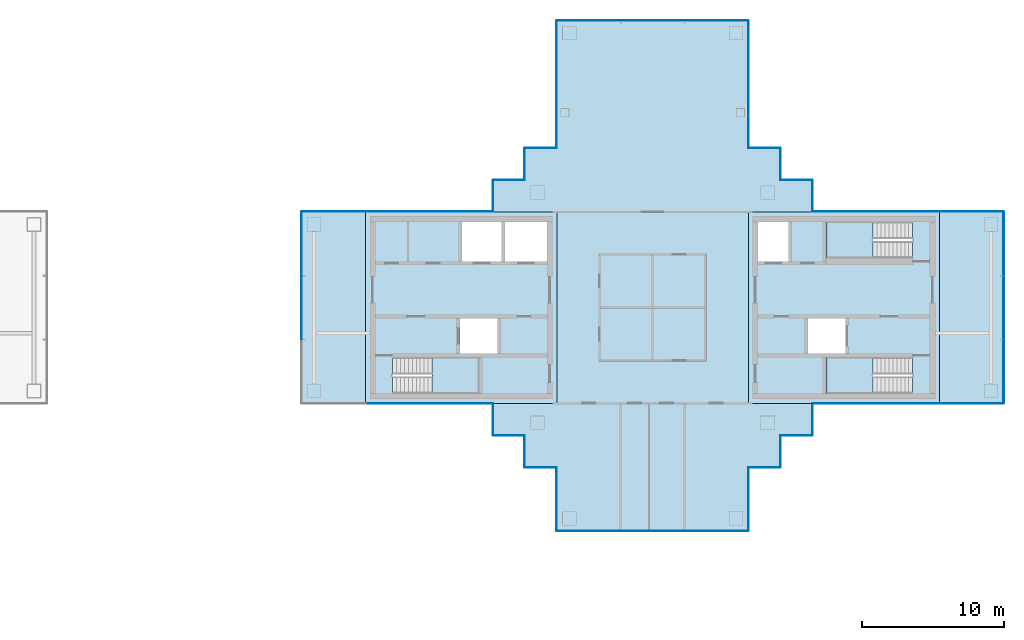
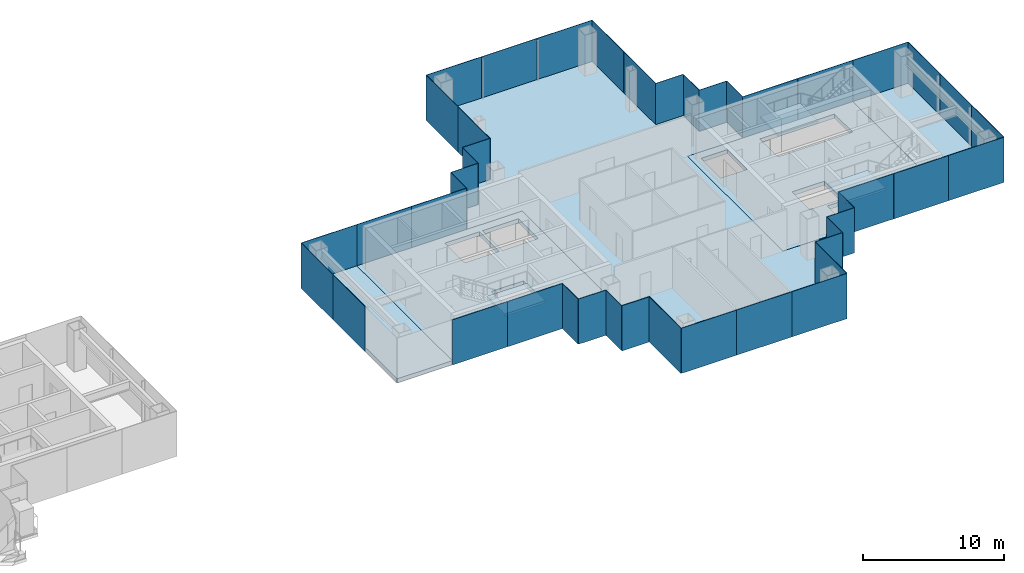
# One storey, part 7 of 15: 44 plates, 8 slabs, 22 elements without a shape of their own.
"""IFC4 building model written with IfcOpenShell, lengths in metres."""

import ifcopenshell
import ifcopenshell.guid

model = None  # the IFC model being written
_history = None  # IfcOwnerHistory: only IFC2X3 demands one
_inside = {}  # id of a spatial element -> (the spatial element, [elements in it])
_under = {}  # id of a project, library or spatial element -> (it, [spatial elements below it])
_declared = {}  # id of a project -> (the project, [libraries it declares])
_typed = {}  # id of a type object -> (the type object, [elements of that type])
_made_of = {}  # id of a material, layer set ... -> (it, [elements and type objects made of it])


def new_model(schema):
    """Start an empty IFC model of exactly this schema.

    Asked for "IFC4X3", IfcOpenShell would pick the latest addendum, in which some entities
    have other attributes; the version numbers below select the first issue.
    IFC2X3 requires an IfcOwnerHistory on every rooted entity: one is made here for all.
    """
    global model, _history
    if schema == "IFC4X3":
        model = ifcopenshell.file(schema_version=(4, 3, 0, 0))
    else:
        model = ifcopenshell.file(schema=schema)
    _inside.clear()
    _under.clear()
    _declared.clear()
    _typed.clear()
    _made_of.clear()
    _history = None
    if model.schema == "IFC2X3":
        org = make("IfcOrganization", Name="unknown")
        user = make(
            "IfcPersonAndOrganization",
            ThePerson=make("IfcPerson", FamilyName="unknown"),
            TheOrganization=org,
        )
        app = make(
            "IfcApplication",
            ApplicationDeveloper=org,
            Version="unknown",
            ApplicationFullName="unknown",
            ApplicationIdentifier="unknown",
        )
        _history = make(
            "IfcOwnerHistory",
            OwningUser=user,
            OwningApplication=app,
            ChangeAction="ADDED",
            CreationDate=0,
        )
    return model


def make(cls, **values):
    """One entity of the class cls with the attributes given. An attribute that is None is left unset."""
    return model.create_entity(
        cls, **{name: value for name, value in values.items() if value is not None}
    )


def rooted(cls, **values):
    """An entity with a GlobalId (a new one), such as an element, a storey or a relation."""
    return make(cls, GlobalId=ifcopenshell.guid.new(), OwnerHistory=_history, **values)


def si_unit(unit_type, name, prefix=None):
    """IfcSIUnit, for example si_unit("LENGTHUNIT", "METRE", prefix="MILLI")."""
    return make("IfcSIUnit", UnitType=unit_type, Prefix=prefix, Name=name)


def assignment(units):
    """IfcUnitAssignment: the units of a project."""
    return None if units is None else make("IfcUnitAssignment", Units=units)


def point(xyz):
    """IfcCartesianPoint."""
    return None if xyz is None else make("IfcCartesianPoint", Coordinates=xyz)


def direction(xyz):
    """IfcDirection."""
    return None if xyz is None else make("IfcDirection", DirectionRatios=xyz)


def frame(location, z_axis=None, x_axis=None):
    """IfcAxis2Placement3D, a coordinate frame: its origin and axes. An axis left out is left unset."""
    return make(
        "IfcAxis2Placement3D",
        Location=point(location),
        Axis=direction(z_axis),
        RefDirection=direction(x_axis),
    )


def frame_2d(location, x_axis=None):
    """IfcAxis2Placement2D, a coordinate frame in the plane: its origin and x axis."""
    return make(
        "IfcAxis2Placement2D", Location=point(location), RefDirection=direction(x_axis)
    )


def origin():
    """The frame at (0, 0, 0) with its axes left unset."""
    return frame((0.0, 0.0, 0.0))


def origin_2d():
    """The frame at (0, 0) in the plane with its x axis left unset."""
    return frame_2d((0.0, 0.0))


def place(relative_to, where):
    """IfcLocalPlacement: puts the frame where relative to a parent placement (None: the world)."""
    return make(
        "IfcLocalPlacement", PlacementRelTo=relative_to, RelativePlacement=where
    )


def context(
    kind, dimensions, precision=None, world=None, true_north=None, identifier=None
):
    """IfcGeometricRepresentationContext, for example the 3D "Model" context."""
    return make(
        "IfcGeometricRepresentationContext",
        ContextIdentifier=identifier,
        ContextType=kind,
        CoordinateSpaceDimension=dimensions,
        Precision=precision,
        WorldCoordinateSystem=world,
        TrueNorth=true_north,
    )


def subcontext(parent, identifier, kind, view, scale=None):
    """IfcGeometricRepresentationSubContext, for example "Body" below "Model"."""
    return make(
        "IfcGeometricRepresentationSubContext",
        ContextIdentifier=identifier,
        ContextType=kind,
        ParentContext=parent,
        TargetScale=scale,
        TargetView=view,
    )


def project(units=None, contexts=None):
    """IfcProject with its units and contexts."""
    return rooted(
        "IfcProject",
        Name="project",
        RepresentationContexts=contexts,
        UnitsInContext=assignment(units),
    )


def spatial(cls, under=None, at=None, **own):
    """A site, building, storey or space (cls), placed at a placement, below another one or the project."""
    s = rooted(cls, ObjectPlacement=at, **own)
    if under is not None:
        _under.setdefault(under.id(), (under, []))[1].append(s)
    return s


def polyline(points):
    """IfcPolyline through the points."""
    return make("IfcPolyline", Points=[point(p) for p in points])


def profile(cls, at=None, kind="AREA", **sizes):
    """A parametric profile (cls). Its sizes go by their IFC names, for example OverallWidth=200.0."""
    return make(cls, ProfileType=kind, Position=at, **sizes)


def rectangle(**sizes):
    """IfcRectangleProfileDef."""
    return profile("IfcRectangleProfileDef", **sizes)


def outline(outer, holes=None, kind="AREA"):
    """IfcArbitraryClosedProfileDef: a profile drawn as a closed curve; with holes, ...WithVoids."""
    if holes is None:
        return make("IfcArbitraryClosedProfileDef", ProfileType=kind, OuterCurve=outer)
    return make(
        "IfcArbitraryProfileDefWithVoids",
        ProfileType=kind,
        OuterCurve=outer,
        InnerCurves=holes,
    )


def extrude(swept, where, along, depth):
    """IfcExtrudedAreaSolid: the profile swept, set in the frame where, extruded along a direction by depth."""
    return make(
        "IfcExtrudedAreaSolid",
        SweptArea=swept,
        Position=where,
        ExtrudedDirection=direction(along),
        Depth=depth,
    )


def shape(context_of_items, identifier, shape_type, items):
    """IfcShapeRepresentation: the items that make up one representation, for example the "Body"."""
    return make(
        "IfcShapeRepresentation",
        ContextOfItems=context_of_items,
        RepresentationIdentifier=identifier,
        RepresentationType=shape_type,
        Items=items,
    )


def material(Name=None, Category=None):
    """IfcMaterial."""
    return make("IfcMaterial", Name=Name, Category=Category)


def layer(
    of_material, thickness, ventilated=None, Name=None, Category=None, Priority=None
):
    """IfcMaterialLayer: one layer of a wall or slab, of a material (None: an air gap)."""
    return make(
        "IfcMaterialLayer",
        Material=of_material,
        LayerThickness=thickness,
        IsVentilated=ventilated,
        Name=Name,
        Category=Category,
        Priority=Priority,
    )


def layer_set(layers, Name=None):
    """IfcMaterialLayerSet."""
    return make("IfcMaterialLayerSet", MaterialLayers=layers, LayerSetName=Name)


def made_of(thing, what):
    """Note that an element or type object is made of a material, layer set ...; save() writes the relation."""
    if what is not None:
        _made_of.setdefault(what.id(), (what, []))[1].append(thing)
    return thing


def type_object(cls, material=None, **own):
    """A type object (cls), such as IfcWallType, which elements share."""
    return made_of(rooted(cls, **own), material)


def element(
    cls,
    number,
    at=None,
    inside=None,
    cuts=None,
    type_object=None,
    material=None,
    context=None,
    identifier="Body",
    shape_type=None,
    held_by="IfcProductDefinitionShape",
    body=None,
    shapes=None,
    **own,
):
    """One element of the class cls, such as IfcWall. Its Tag is "e" and its number.

    at: its placement. inside: the storey or other place that contains it. cuts: it is an
    opening in that element (IfcRelVoidsElement). A single representation is given by context,
    identifier, shape_type and body (its items); several are given by shapes. held_by: the class
    of the entity that holds the representations. save() writes the other relations.
    """
    e = rooted(cls, Tag="e%d" % number, ObjectPlacement=at, **own)
    if body is not None:
        shapes = [shape(context, identifier, shape_type, body)]
    if shapes is not None:
        e.Representation = make(held_by, Representations=shapes)
    if inside is not None:
        _inside.setdefault(inside.id(), (inside, []))[1].append(e)
    if cuts is not None:
        rooted(
            "IfcRelVoidsElement", RelatingBuildingElement=cuts, RelatedOpeningElement=e
        )
    if type_object is not None:
        _typed.setdefault(type_object.id(), (type_object, []))[1].append(e)
    return made_of(e, material)


def aggregate(whole, parts):
    """IfcRelAggregates: a whole, such as a stair, and the parts it consists of."""
    return rooted("IfcRelAggregates", RelatingObject=whole, RelatedObjects=parts)


def save(model, path):
    """Write the relations noted so far, then the file.

    IfcRelAggregates (storeys below a building ...), IfcRelContainedInSpatialStructure (elements
    in a storey), IfcRelDefinesByType, IfcRelAssociatesMaterial and IfcRelDeclares: one each for
    every whole, place, type object, material and project.
    """
    for whole, parts in _under.values():
        aggregate(whole, parts)
    for where, things in _inside.values():
        rooted(
            "IfcRelContainedInSpatialStructure",
            RelatedElements=things,
            RelatingStructure=where,
        )
    for kind, things in _typed.values():
        rooted("IfcRelDefinesByType", RelatedObjects=things, RelatingType=kind)
    for what, things in _made_of.values():
        rooted("IfcRelAssociatesMaterial", RelatedObjects=things, RelatingMaterial=what)
    for by, libraries in _declared.values():
        rooted("IfcRelDeclares", RelatingContext=by, RelatedDefinitions=libraries)
    model.write(path)


model = new_model("IFC4")

# Units and contexts
model_context = context("Model", 3, precision=1e-05, world=origin(), true_north=direction((0.0, 1.0)))
body_context = subcontext(model_context, "Body", "Model", "MODEL_VIEW")
ifc_project = project(units=[si_unit("LENGTHUNIT", "METRE"), si_unit("AREAUNIT", "SQUARE_METRE"), si_unit("VOLUMEUNIT", "CUBIC_METRE"), si_unit("PLANEANGLEUNIT", "RADIAN"), si_unit("MASSUNIT", "GRAM", prefix="KILO")], contexts=[model_context])

# Site, building, storey
site_placement = place(None, origin())
site = spatial("IfcSite", under=ifc_project, at=site_placement, CompositionType="ELEMENT")
building_placement = place(site_placement, origin())
building = spatial("IfcBuilding", under=site, at=building_placement, Name="Shamsa Quay Exchange Towers", CompositionType="ELEMENT")
storey_placement = place(building_placement, frame((0.0, 0.0, 202.199951171875)))
storey = spatial("IfcBuildingStorey", under=building, at=storey_placement, Name="L48", CompositionType="ELEMENT", Elevation=202.199951171875)

# Slabs
ifc_material_1 = material(Name="Concrete C50/60", Category="concrete")
ifc_layer_1 = layer(ifc_material_1, 0.35009765625)
ifc_layer_set_1 = layer_set([ifc_layer_1], Name="CORE FLOOR 350 C50/60")
slab_type_1 = type_object("IfcSlabType", Name="CORE FLOOR 350 C50/60", PredefinedType="FLOOR", material=ifc_layer_set_1)
slab_1_placement = place(storey_placement, frame((0.0, 0.0, -0.349853515625)))
element("IfcSlab", 1, at=slab_1_placement, inside=storey, type_object=slab_type_1, Name="Core floor T2A", PredefinedType="FLOOR", context=body_context, shape_type="SweptSolid", body=[
    extrude(outline(polyline([(13.5, -6.75), (27.0, -6.75), (27.0, 6.75), (13.5, 6.75), (13.5, -6.75)]), holes=[polyline([(15.400634765625, -6.050048828125), (15.400634765625, -3.5), (21.5, -3.5), (21.5, -6.050048828125), (15.400634765625, -6.050048828125)]), polyline([(20.300048828125, 3.25), (20.300048828125, 6.050048828125), (23.10009765625, 6.050048828125), (23.10009765625, 3.25), (20.300048828125, 3.25)]), polyline([(23.35009765625, 3.25), (23.35009765625, 6.050048828125), (26.300048828125, 6.050048828125), (26.300048828125, 3.25), (23.35009765625, 3.25)]), polyline([(20.14990234375, -3.25), (20.14990234375, -0.75), (22.800048828125, -0.75), (22.800048828125, -3.25), (20.14990234375, -3.25)])]), origin(), (0.0, 0.0, 1.0), 0.349853515625),
])
slab_2_placement = place(storey_placement, frame((0.0, 0.0, -0.349853515625)))
element("IfcSlab", 2, at=slab_2_placement, inside=storey, type_object=slab_type_1, Name="Core floor T2B", PredefinedType="FLOOR", context=body_context, shape_type="SweptSolid", body=[
    extrude(outline(polyline([(54.0, -6.75), (54.0, 6.75), (40.5, 6.75), (40.5, -6.75), (54.0, -6.75)]), holes=[polyline([(52.099365234375, -3.5), (52.099365234375, -6.050048828125), (46.0, -6.050048828125), (46.0, -3.5), (52.099365234375, -3.5)]), polyline([(52.099365234375, 6.050048828125), (52.099365234375, 3.5), (46.0, 3.5), (46.0, 6.050048828125), (52.099365234375, 6.050048828125)]), polyline([(43.35009765625, 3.25), (41.199951171875, 3.25), (41.199951171875, 6.050048828125), (43.35009765625, 6.050048828125), (43.35009765625, 3.25)]), polyline([(47.35009765625, -3.25), (44.699951171875, -3.25), (44.699951171875, -0.75), (47.35009765625, -0.75), (47.35009765625, -3.25)])]), origin(), (0.0, 0.0, 1.0), 0.349853515625),
])

# Stair, slab
ifc_material_2 = material(Name="Concrete C40/50", Category="concrete")
stair_type = type_object("IfcStairType", Name="EXIT STAIR 22 RISERS 177 MM", PredefinedType="HALF_TURN_STAIR", material=ifc_material_2)
stair_1_placement = place(storey_placement, origin())
stair_1 = element("IfcStair", 3, at=stair_1_placement, inside=storey, type_object=stair_type, Name="L48 Exit stair ST4", PredefinedType="HALF_TURN_STAIR")
ifc_layer_2 = layer(ifc_material_2, 0.199951171875)
ifc_layer_set_2 = layer_set([ifc_layer_2], Name="CORE STAIR LANDING")
slab_type_2 = type_object("IfcSlabType", Name="CORE STAIR LANDING", PredefinedType="LANDING", material=ifc_layer_set_2)
slab_3_placement = place(storey_placement, frame((0.0, 0.0, 1.75)))
slab_3 = element("IfcSlab", 4, at=slab_3_placement, type_object=slab_type_2, Name="ST4 landing 1", PredefinedType="LANDING", context=body_context, shape_type="SweptSolid", body=[
    extrude(outline(polyline([(18.199951171875, -6.050048828125), (21.5, -6.050048828125), (21.5, -3.5), (18.199951171875, -3.5), (18.199951171875, -6.050048828125)])), origin(), (0.0, 0.0, 1.0), 0.199951171875),
])
aggregate(stair_1, [slab_3])

stair_2_placement = place(storey_placement, origin())
stair_2 = element("IfcStair", 5, at=stair_2_placement, inside=storey, type_object=stair_type, Name="L48 Exit stair ST5", PredefinedType="HALF_TURN_STAIR")
slab_4_placement = place(storey_placement, frame((0.0, 0.0, 1.75)))
slab_4 = element("IfcSlab", 6, at=slab_4_placement, type_object=slab_type_2, Name="ST5 landing 1", PredefinedType="LANDING", context=body_context, shape_type="SweptSolid", body=[
    extrude(outline(polyline([(49.300048828125, -3.5), (46.0, -3.5), (46.0, -6.050048828125), (49.300048828125, -6.050048828125), (49.300048828125, -3.5)])), origin(), (0.0, 0.0, 1.0), 0.199951171875),
])
aggregate(stair_2, [slab_4])

stair_3_placement = place(storey_placement, origin())
stair_3 = element("IfcStair", 7, at=stair_3_placement, inside=storey, type_object=stair_type, Name="L48 Exit stair ST6", PredefinedType="HALF_TURN_STAIR")
slab_5_placement = place(storey_placement, frame((0.0, 0.0, 1.75)))
slab_5 = element("IfcSlab", 8, at=slab_5_placement, type_object=slab_type_2, Name="ST6 landing 1", PredefinedType="LANDING", context=body_context, shape_type="SweptSolid", body=[
    extrude(outline(polyline([(49.300048828125, 6.050048828125), (46.0, 6.050048828125), (46.0, 3.5), (49.300048828125, 3.5), (49.300048828125, 6.050048828125)])), origin(), (0.0, 0.0, 1.0), 0.199951171875),
])
aggregate(stair_3, [slab_5])

# Curtain wall, plate
ifc_material_3 = material(Name="Aluminium EN AW-6063 T6, black anodised", Category="aluminium")
ifc_layer_3 = layer(ifc_material_3, 0.280029296875)
ifc_layer_set_3 = layer_set([ifc_layer_3], Name="CW-1 UNITISED VISION GLASS")
curtain_wall_type_1 = type_object("IfcCurtainWallType", Name="CW-1 UNITISED VISION GLASS", PredefinedType="NOTDEFINED", material=ifc_layer_set_3)
curtain_wall_1_placement = place(storey_placement, origin())
curtain_wall_1 = element("IfcCurtainWall", 9, at=curtain_wall_1_placement, inside=storey, type_object=curtain_wall_type_1, Name="CW1 T2-FLK-V-W L48", PredefinedType="NOTDEFINED")
ifc_material_4 = material(Name="Glass, laminated, dark tinted", Category="glass")
ifc_layer_4 = layer(ifc_material_4, 0.0400390625)
ifc_layer_set_4 = layer_set([ifc_layer_4], Name="CW-1 VISION GLASS 40")
plate_type_1 = type_object("IfcPlateType", Name="CW-1 VISION GLASS 40", PredefinedType="CURTAIN_PANEL", material=ifc_layer_set_4)
plate_1_placement = place(storey_placement, frame((56.25, -6.77001953125, -0.349853515625)))
plate_1 = element("IfcPlate", 10, at=plate_1_placement, type_object=plate_type_1, Name="CW1 glass panel", PredefinedType="CURTAIN_PANEL", context=body_context, shape_type="SweptSolid", body=[
    extrude(rectangle(XDim=4.5, YDim=0.0400390625, at=origin_2d()), origin(), (0.0, 0.0, 1.0), 3.89990234375),
])
aggregate(curtain_wall_1, [plate_1])

# Curtain wall, plates
curtain_wall_2_placement = place(storey_placement, origin())
curtain_wall_2 = element("IfcCurtainWall", 11, at=curtain_wall_2_placement, inside=storey, type_object=curtain_wall_type_1, Name="CW1 T2-END-V- L48", PredefinedType="NOTDEFINED")
plate_2_placement = place(storey_placement, frame((58.52001953125, -4.50244140625, -0.349853515625), z_axis=(0.0, 0.0, 1.0), x_axis=(0.0, 1.0, 0.0)))
plate_2 = element("IfcPlate", 12, at=plate_2_placement, type_object=plate_type_1, Name="CW1 glass panel", PredefinedType="CURTAIN_PANEL", context=body_context, shape_type="SweptSolid", body=[
    extrude(rectangle(XDim=4.4951171875, YDim=0.0400390625, at=origin_2d()), origin(), (0.0, 0.0, 1.0), 3.89990234375),
])
plate_3_placement = place(storey_placement, frame((58.52001953125, 0.0, -0.349853515625), z_axis=(0.0, 0.0, 1.0), x_axis=(0.0, 1.0, 0.0)))
plate_3 = element("IfcPlate", 13, at=plate_3_placement, type_object=plate_type_1, Name="CW1 glass panel", PredefinedType="CURTAIN_PANEL", context=body_context, shape_type="SweptSolid", body=[
    extrude(rectangle(XDim=4.489990234375, YDim=0.0400390625, at=origin_2d()), origin(), (0.0, 0.0, 1.0), 3.89990234375),
])
plate_4_placement = place(storey_placement, frame((58.52001953125, 4.50244140625, -0.349853515625), z_axis=(0.0, 0.0, 1.0), x_axis=(0.0, 1.0, 0.0)))
plate_4 = element("IfcPlate", 14, at=plate_4_placement, type_object=plate_type_1, Name="CW1 glass panel", PredefinedType="CURTAIN_PANEL", context=body_context, shape_type="SweptSolid", body=[
    extrude(rectangle(XDim=4.4951171875, YDim=0.0400390625, at=origin_2d()), origin(), (0.0, 0.0, 1.0), 3.89990234375),
])
aggregate(curtain_wall_2, [plate_2, plate_3, plate_4])

# Curtain wall, plate
curtain_wall_3_placement = place(storey_placement, origin())
curtain_wall_3 = element("IfcCurtainWall", 15, at=curtain_wall_3_placement, inside=storey, type_object=curtain_wall_type_1, Name="CW1 T2-FLK-V-E L48", PredefinedType="NOTDEFINED")
plate_5_placement = place(storey_placement, frame((56.25, 6.77001953125, -0.349853515625), z_axis=(0.0, 0.0, 1.0), x_axis=(-1.0, 0.0, 0.0)))
plate_5 = element("IfcPlate", 16, at=plate_5_placement, type_object=plate_type_1, Name="CW1 glass panel", PredefinedType="CURTAIN_PANEL", context=body_context, shape_type="SweptSolid", body=[
    extrude(rectangle(XDim=4.5, YDim=0.0400390625, at=origin_2d()), origin(), (0.0, 0.0, 1.0), 3.89990234375),
])
aggregate(curtain_wall_3, [plate_5])

# Curtain wall, plates
curtain_wall_4_placement = place(storey_placement, origin())
curtain_wall_4 = element("IfcCurtainWall", 17, at=curtain_wall_4_placement, inside=storey, type_object=curtain_wall_type_1, Name="CW1 T2-FLK-U+S L48", PredefinedType="NOTDEFINED")
plate_6_placement = place(storey_placement, frame((40.52001953125, 13.52587890625, -0.349853515625), z_axis=(0.0, 0.0, 1.0), x_axis=(0.0, 1.0, 0.0)))
plate_6 = element("IfcPlate", 18, at=plate_6_placement, type_object=plate_type_1, Name="CW1 glass panel", PredefinedType="CURTAIN_PANEL", context=body_context, shape_type="SweptSolid", body=[
    extrude(rectangle(XDim=4.47607421875, YDim=0.0400390625, at=origin_2d()), origin(), (0.0, 0.0, 1.0), 3.89990234375),
])
plate_7_placement = place(storey_placement, frame((40.52001953125, 18.011962890625, -0.349853515625), z_axis=(0.0, 0.0, 1.0), x_axis=(0.0, 1.0, 0.0)))
plate_7 = element("IfcPlate", 19, at=plate_7_placement, type_object=plate_type_1, Name="CW1 glass panel", PredefinedType="CURTAIN_PANEL", context=body_context, shape_type="SweptSolid", body=[
    extrude(rectangle(XDim=4.47607421875, YDim=0.0400390625, at=origin_2d()), origin(), (0.0, 0.0, 1.0), 3.89990234375),
])
aggregate(curtain_wall_4, [plate_6, plate_7])

curtain_wall_5_placement = place(storey_placement, origin())
curtain_wall_5 = element("IfcCurtainWall", 20, at=curtain_wall_5_placement, inside=storey, type_object=curtain_wall_type_1, Name="CW1 T2-END-U+ L48", PredefinedType="NOTDEFINED")
plate_8_placement = place(storey_placement, frame((38.25244140625, 20.27001953125, -0.349853515625), z_axis=(0.0, 0.0, 1.0), x_axis=(-1.0, 0.0, 0.0)))
plate_8 = element("IfcPlate", 21, at=plate_8_placement, type_object=plate_type_1, Name="CW1 glass panel", PredefinedType="CURTAIN_PANEL", context=body_context, shape_type="SweptSolid", body=[
    extrude(rectangle(XDim=4.4951171875, YDim=0.0400390625, at=origin_2d()), origin(), (0.0, 0.0, 1.0), 3.89990234375),
])
plate_9_placement = place(storey_placement, frame((33.75, 20.27001953125, -0.349853515625), z_axis=(0.0, 0.0, 1.0), x_axis=(-1.0, 0.0, 0.0)))
plate_9 = element("IfcPlate", 22, at=plate_9_placement, type_object=plate_type_1, Name="CW1 glass panel", PredefinedType="CURTAIN_PANEL", context=body_context, shape_type="SweptSolid", body=[
    extrude(rectangle(XDim=4.489990234375, YDim=0.0400390625, at=origin_2d()), origin(), (0.0, 0.0, 1.0), 3.89990234375),
])
plate_10_placement = place(storey_placement, frame((29.24755859375, 20.27001953125, -0.349853515625), z_axis=(0.0, 0.0, 1.0), x_axis=(-1.0, 0.0, 0.0)))
plate_10 = element("IfcPlate", 23, at=plate_10_placement, type_object=plate_type_1, Name="CW1 glass panel", PredefinedType="CURTAIN_PANEL", context=body_context, shape_type="SweptSolid", body=[
    extrude(rectangle(XDim=4.4951171875, YDim=0.0400390625, at=origin_2d()), origin(), (0.0, 0.0, 1.0), 3.89990234375),
])
aggregate(curtain_wall_5, [plate_8, plate_9, plate_10])

curtain_wall_6_placement = place(storey_placement, origin())
curtain_wall_6 = element("IfcCurtainWall", 24, at=curtain_wall_6_placement, inside=storey, type_object=curtain_wall_type_1, Name="CW1 T2-FLK-U+N L48", PredefinedType="NOTDEFINED")
plate_11_placement = place(storey_placement, frame((26.97998046875, 18.00244140625, -0.349853515625), z_axis=(0.0, 0.0, 1.0), x_axis=(0.0, -1.0, 0.0)))
plate_11 = element("IfcPlate", 25, at=plate_11_placement, type_object=plate_type_1, Name="CW1 glass panel", PredefinedType="CURTAIN_PANEL", context=body_context, shape_type="SweptSolid", body=[
    extrude(rectangle(XDim=4.4951171875, YDim=0.0400390625, at=origin_2d()), origin(), (0.0, 0.0, 1.0), 3.89990234375),
])
plate_12_placement = place(storey_placement, frame((26.97998046875, 13.49755859375, -0.349853515625), z_axis=(0.0, 0.0, 1.0), x_axis=(0.0, -1.0, 0.0)))
plate_12 = element("IfcPlate", 26, at=plate_12_placement, type_object=plate_type_1, Name="CW1 glass panel", PredefinedType="CURTAIN_PANEL", context=body_context, shape_type="SweptSolid", body=[
    extrude(rectangle(XDim=4.4951171875, YDim=0.0400390625, at=origin_2d()), origin(), (0.0, 0.0, 1.0), 3.89990234375),
])
aggregate(curtain_wall_6, [plate_11, plate_12])

# Curtain wall, plate
curtain_wall_7_placement = place(storey_placement, origin())
curtain_wall_7 = element("IfcCurtainWall", 27, at=curtain_wall_7_placement, inside=storey, type_object=curtain_wall_type_1, Name="CW1 T2-FLK-V+E L48", PredefinedType="NOTDEFINED")
plate_13_placement = place(storey_placement, frame((11.25, 6.77001953125, -0.349853515625), z_axis=(0.0, 0.0, 1.0), x_axis=(-1.0, 0.0, 0.0)))
plate_13 = element("IfcPlate", 28, at=plate_13_placement, type_object=plate_type_1, Name="CW1 glass panel", PredefinedType="CURTAIN_PANEL", context=body_context, shape_type="SweptSolid", body=[
    extrude(rectangle(XDim=4.5, YDim=0.0400390625, at=origin_2d()), origin(), (0.0, 0.0, 1.0), 3.89990234375),
])
aggregate(curtain_wall_7, [plate_13])

# Curtain wall, plates
curtain_wall_8_placement = place(storey_placement, origin())
curtain_wall_8 = element("IfcCurtainWall", 29, at=curtain_wall_8_placement, inside=storey, type_object=curtain_wall_type_1, Name="CW1 T2-END-V+ L48", PredefinedType="NOTDEFINED")
plate_14_placement = place(storey_placement, frame((8.97998046875, 4.50244140625, -0.349853515625), z_axis=(0.0, 0.0, 1.0), x_axis=(0.0, -1.0, 0.0)))
plate_14 = element("IfcPlate", 30, at=plate_14_placement, type_object=plate_type_1, Name="CW1 glass panel", PredefinedType="CURTAIN_PANEL", context=body_context, shape_type="SweptSolid", body=[
    extrude(rectangle(XDim=4.4951171875, YDim=0.0400390625, at=origin_2d()), origin(), (0.0, 0.0, 1.0), 3.89990234375),
])
plate_15_placement = place(storey_placement, frame((8.97998046875, 0.0, -0.349853515625), z_axis=(0.0, 0.0, 1.0), x_axis=(0.0, -1.0, 0.0)))
plate_15 = element("IfcPlate", 31, at=plate_15_placement, type_object=plate_type_1, Name="CW1 glass panel", PredefinedType="CURTAIN_PANEL", context=body_context, shape_type="SweptSolid", body=[
    extrude(rectangle(XDim=4.489990234375, YDim=0.0400390625, at=origin_2d()), origin(), (0.0, 0.0, 1.0), 3.89990234375),
])
aggregate(curtain_wall_8, [plate_14, plate_15])

# Curtain wall, plate
curtain_wall_9_placement = place(storey_placement, origin())
curtain_wall_9 = element("IfcCurtainWall", 32, at=curtain_wall_9_placement, inside=storey, type_object=curtain_wall_type_1, Name="CW1 T2-FLK-U-N L48", PredefinedType="NOTDEFINED")
plate_16_placement = place(storey_placement, frame((26.97998046875, -13.51904296875, -0.349853515625), z_axis=(0.0, 0.0, 1.0), x_axis=(0.0, -1.0, 0.0)))
plate_16 = element("IfcPlate", 33, at=plate_16_placement, type_object=plate_type_1, Name="CW1 glass panel", PredefinedType="CURTAIN_PANEL", context=body_context, shape_type="SweptSolid", body=[
    extrude(rectangle(XDim=4.4619140625, YDim=0.0400390625, at=origin_2d()), origin(), (0.0, 0.0, 1.0), 3.89990234375),
])
aggregate(curtain_wall_9, [plate_16])

# Curtain wall, plates
curtain_wall_10_placement = place(storey_placement, origin())
curtain_wall_10 = element("IfcCurtainWall", 34, at=curtain_wall_10_placement, inside=storey, type_object=curtain_wall_type_1, Name="CW1 T2-END-U- L48", PredefinedType="NOTDEFINED")
plate_17_placement = place(storey_placement, frame((29.24755859375, -15.77001953125, -0.349853515625)))
plate_17 = element("IfcPlate", 35, at=plate_17_placement, type_object=plate_type_1, Name="CW1 glass panel", PredefinedType="CURTAIN_PANEL", context=body_context, shape_type="SweptSolid", body=[
    extrude(rectangle(XDim=4.4951171875, YDim=0.0400390625, at=origin_2d()), origin(), (0.0, 0.0, 1.0), 3.89990234375),
])
plate_18_placement = place(storey_placement, frame((33.75, -15.77001953125, -0.349853515625)))
plate_18 = element("IfcPlate", 36, at=plate_18_placement, type_object=plate_type_1, Name="CW1 glass panel", PredefinedType="CURTAIN_PANEL", context=body_context, shape_type="SweptSolid", body=[
    extrude(rectangle(XDim=4.489990234375, YDim=0.0400390625, at=origin_2d()), origin(), (0.0, 0.0, 1.0), 3.89990234375),
])
plate_19_placement = place(storey_placement, frame((38.25244140625, -15.77001953125, -0.349853515625)))
plate_19 = element("IfcPlate", 37, at=plate_19_placement, type_object=plate_type_1, Name="CW1 glass panel", PredefinedType="CURTAIN_PANEL", context=body_context, shape_type="SweptSolid", body=[
    extrude(rectangle(XDim=4.4951171875, YDim=0.0400390625, at=origin_2d()), origin(), (0.0, 0.0, 1.0), 3.89990234375),
])
aggregate(curtain_wall_10, [plate_17, plate_18, plate_19])

# Curtain wall, plate
curtain_wall_11_placement = place(storey_placement, origin())
curtain_wall_11 = element("IfcCurtainWall", 38, at=curtain_wall_11_placement, inside=storey, type_object=curtain_wall_type_1, Name="CW1 T2-FLK-U-S L48", PredefinedType="NOTDEFINED")
plate_20_placement = place(storey_placement, frame((40.52001953125, -13.5, -0.349853515625), z_axis=(0.0, 0.0, 1.0), x_axis=(0.0, 1.0, 0.0)))
plate_20 = element("IfcPlate", 39, at=plate_20_placement, type_object=plate_type_1, Name="CW1 glass panel", PredefinedType="CURTAIN_PANEL", context=body_context, shape_type="SweptSolid", body=[
    extrude(rectangle(XDim=4.5, YDim=0.0400390625, at=origin_2d()), origin(), (0.0, 0.0, 1.0), 3.89990234375),
])
aggregate(curtain_wall_11, [plate_20])

# Curtain wall, plates
ifc_layer_5 = layer(ifc_material_3, 0.303955078125)
ifc_layer_set_5 = layer_set([ifc_layer_5], Name="CW-2 UNITISED OPAQUE SPANDREL GLASS")
curtain_wall_type_2 = type_object("IfcCurtainWallType", Name="CW-2 UNITISED OPAQUE SPANDREL GLASS", PredefinedType="NOTDEFINED", material=ifc_layer_set_5)
curtain_wall_12_placement = place(storey_placement, origin())
curtain_wall_12 = element("IfcCurtainWall", 40, at=curtain_wall_12_placement, inside=storey, type_object=curtain_wall_type_2, Name="CW2 T2-FLK-V-W L48", PredefinedType="NOTDEFINED")
ifc_material_5 = material(Name="Glass, laminated, black enamelled opaque", Category="glass")
ifc_layer_6 = layer(ifc_material_5, 0.0439453125)
ifc_layer_set_6 = layer_set([ifc_layer_6], Name="CW-2 SPANDREL GLASS 44")
plate_type_2 = type_object("IfcPlateType", Name="CW-2 SPANDREL GLASS 44", PredefinedType="CURTAIN_PANEL", material=ifc_layer_set_6)
plate_21_placement = place(storey_placement, frame((47.27587890625, -6.77197265625, -0.349853515625)))
plate_21 = element("IfcPlate", 41, at=plate_21_placement, type_object=plate_type_2, Name="CW2 glass panel", PredefinedType="CURTAIN_PANEL", context=body_context, shape_type="SweptSolid", body=[
    extrude(rectangle(XDim=4.47607421875, YDim=0.0439453125, at=origin_2d()), origin(), (0.0, 0.0, 1.0), 3.89990234375),
])
plate_22_placement = place(storey_placement, frame((51.761962890625, -6.77197265625, -0.349853515625)))
plate_22 = element("IfcPlate", 42, at=plate_22_placement, type_object=plate_type_2, Name="CW2 glass panel", PredefinedType="CURTAIN_PANEL", context=body_context, shape_type="SweptSolid", body=[
    extrude(rectangle(XDim=4.47607421875, YDim=0.0439453125, at=origin_2d()), origin(), (0.0, 0.0, 1.0), 3.89990234375),
])
aggregate(curtain_wall_12, [plate_21, plate_22])

curtain_wall_13_placement = place(storey_placement, origin())
curtain_wall_13 = element("IfcCurtainWall", 43, at=curtain_wall_13_placement, inside=storey, type_object=curtain_wall_type_2, Name="CW2 T2-FLK-V-E L48", PredefinedType="NOTDEFINED")
plate_23_placement = place(storey_placement, frame((51.75244140625, 6.77197265625, -0.349853515625), z_axis=(0.0, 0.0, 1.0), x_axis=(-1.0, 0.0, 0.0)))
plate_23 = element("IfcPlate", 44, at=plate_23_placement, type_object=plate_type_2, Name="CW2 glass panel", PredefinedType="CURTAIN_PANEL", context=body_context, shape_type="SweptSolid", body=[
    extrude(rectangle(XDim=4.4951171875, YDim=0.0439453125, at=origin_2d()), origin(), (0.0, 0.0, 1.0), 3.89990234375),
])
plate_24_placement = place(storey_placement, frame((47.24755859375, 6.77197265625, -0.349853515625), z_axis=(0.0, 0.0, 1.0), x_axis=(-1.0, 0.0, 0.0)))
plate_24 = element("IfcPlate", 45, at=plate_24_placement, type_object=plate_type_2, Name="CW2 glass panel", PredefinedType="CURTAIN_PANEL", context=body_context, shape_type="SweptSolid", body=[
    extrude(rectangle(XDim=4.4951171875, YDim=0.0439453125, at=origin_2d()), origin(), (0.0, 0.0, 1.0), 3.89990234375),
])
aggregate(curtain_wall_13, [plate_23, plate_24])

curtain_wall_14_placement = place(storey_placement, origin())
curtain_wall_14 = element("IfcCurtainWall", 46, at=curtain_wall_14_placement, inside=storey, type_object=curtain_wall_type_2, Name="CW2 T2-FLK-V+E L48", PredefinedType="NOTDEFINED")
plate_25_placement = place(storey_placement, frame((20.22412109375, 6.77197265625, -0.349853515625), z_axis=(0.0, 0.0, 1.0), x_axis=(-1.0, 0.0, 0.0)))
plate_25 = element("IfcPlate", 47, at=plate_25_placement, type_object=plate_type_2, Name="CW2 glass panel", PredefinedType="CURTAIN_PANEL", context=body_context, shape_type="SweptSolid", body=[
    extrude(rectangle(XDim=4.47607421875, YDim=0.0439453125, at=origin_2d()), origin(), (0.0, 0.0, 1.0), 3.89990234375),
])
plate_26_placement = place(storey_placement, frame((15.738037109375, 6.77197265625, -0.349853515625), z_axis=(0.0, 0.0, 1.0), x_axis=(-1.0, 0.0, 0.0)))
plate_26 = element("IfcPlate", 48, at=plate_26_placement, type_object=plate_type_2, Name="CW2 glass panel", PredefinedType="CURTAIN_PANEL", context=body_context, shape_type="SweptSolid", body=[
    extrude(rectangle(XDim=4.47607421875, YDim=0.0439453125, at=origin_2d()), origin(), (0.0, 0.0, 1.0), 3.89990234375),
])
aggregate(curtain_wall_14, [plate_25, plate_26])

curtain_wall_15_placement = place(storey_placement, origin())
curtain_wall_15 = element("IfcCurtainWall", 49, at=curtain_wall_15_placement, inside=storey, type_object=curtain_wall_type_2, Name="CW2 T2-FLK-V+W L48", PredefinedType="NOTDEFINED")
plate_27_placement = place(storey_placement, frame((15.74755859375, -6.77197265625, -0.349853515625)))
plate_27 = element("IfcPlate", 50, at=plate_27_placement, type_object=plate_type_2, Name="CW2 glass panel", PredefinedType="CURTAIN_PANEL", context=body_context, shape_type="SweptSolid", body=[
    extrude(rectangle(XDim=4.4951171875, YDim=0.0439453125, at=origin_2d()), origin(), (0.0, 0.0, 1.0), 3.89990234375),
])
plate_28_placement = place(storey_placement, frame((20.25244140625, -6.77197265625, -0.349853515625)))
plate_28 = element("IfcPlate", 51, at=plate_28_placement, type_object=plate_type_2, Name="CW2 glass panel", PredefinedType="CURTAIN_PANEL", context=body_context, shape_type="SweptSolid", body=[
    extrude(rectangle(XDim=4.4951171875, YDim=0.0439453125, at=origin_2d()), origin(), (0.0, 0.0, 1.0), 3.89990234375),
])
aggregate(curtain_wall_15, [plate_27, plate_28])

ifc_layer_7 = layer(ifc_material_3, 0.256103515625)
ifc_layer_set_7 = layer_set([ifc_layer_7], Name="CW-4 POCKET SERRATED GLAZING")
curtain_wall_type_3 = type_object("IfcCurtainWallType", Name="CW-4 POCKET SERRATED GLAZING", PredefinedType="NOTDEFINED", material=ifc_layer_set_7)
curtain_wall_16_placement = place(storey_placement, origin())
curtain_wall_16 = element("IfcCurtainWall", 52, at=curtain_wall_16_placement, inside=storey, type_object=curtain_wall_type_3, Name="CW4 PKWS L48", PredefinedType="NOTDEFINED")
ifc_layer_8 = layer(ifc_material_4, 0.035888671875)
ifc_layer_set_8 = layer_set([ifc_layer_8], Name="CW-4 POCKET GLASS 36")
plate_type_3 = type_object("IfcPlateType", Name="CW-4 POCKET GLASS 36", PredefinedType="CURTAIN_PANEL", material=ifc_layer_set_8)
plate_29_placement = place(storey_placement, frame((43.89404296875, -9.01806640625, -0.349853515625)))
plate_29 = element("IfcPlate", 53, at=plate_29_placement, type_object=plate_type_3, Name="CW4 glass panel", PredefinedType="CURTAIN_PANEL", context=body_context, shape_type="SweptSolid", body=[
    extrude(rectangle(XDim=2.2119140625, YDim=0.035888671875, at=origin_2d()), origin(), (0.0, 0.0, 1.0), 3.89990234375),
])
plate_30_placement = place(storey_placement, frame((45.01806640625, -7.875, -0.349853515625), z_axis=(0.0, 0.0, 1.0), x_axis=(0.0, 1.0, 0.0)))
plate_30 = element("IfcPlate", 54, at=plate_30_placement, type_object=plate_type_3, Name="CW4 glass panel", PredefinedType="CURTAIN_PANEL", context=body_context, shape_type="SweptSolid", body=[
    extrude(rectangle(XDim=2.25, YDim=0.035888671875, at=origin_2d()), origin(), (0.0, 0.0, 1.0), 3.89990234375),
])
plate_31_placement = place(storey_placement, frame((41.64599609375, -11.26806640625, -0.349853515625)))
plate_31 = element("IfcPlate", 55, at=plate_31_placement, type_object=plate_type_3, Name="CW4 glass panel", PredefinedType="CURTAIN_PANEL", context=body_context, shape_type="SweptSolid", body=[
    extrude(rectangle(XDim=2.2080078125, YDim=0.035888671875, at=origin_2d()), origin(), (0.0, 0.0, 1.0), 3.89990234375),
])
plate_32_placement = place(storey_placement, frame((42.76806640625, -10.125, -0.349853515625), z_axis=(0.0, 0.0, 1.0), x_axis=(0.0, 1.0, 0.0)))
plate_32 = element("IfcPlate", 56, at=plate_32_placement, type_object=plate_type_3, Name="CW4 glass panel", PredefinedType="CURTAIN_PANEL", context=body_context, shape_type="SweptSolid", body=[
    extrude(rectangle(XDim=2.25, YDim=0.035888671875, at=origin_2d()), origin(), (0.0, 0.0, 1.0), 3.89990234375),
])
aggregate(curtain_wall_16, [plate_29, plate_30, plate_31, plate_32])

curtain_wall_17_placement = place(storey_placement, origin())
curtain_wall_17 = element("IfcCurtainWall", 57, at=curtain_wall_17_placement, inside=storey, type_object=curtain_wall_type_3, Name="CW4 PKES L48", PredefinedType="NOTDEFINED")
plate_33_placement = place(storey_placement, frame((45.01806640625, 7.89794921875, -0.349853515625), z_axis=(0.0, 0.0, 1.0), x_axis=(0.0, 1.0, 0.0)))
plate_33 = element("IfcPlate", 58, at=plate_33_placement, type_object=plate_type_3, Name="CW4 glass panel", PredefinedType="CURTAIN_PANEL", context=body_context, shape_type="SweptSolid", body=[
    extrude(rectangle(XDim=2.2041015625, YDim=0.035888671875, at=origin_2d()), origin(), (0.0, 0.0, 1.0), 3.89990234375),
])
plate_34_placement = place(storey_placement, frame((43.875, 9.01806640625, -0.349853515625), z_axis=(0.0, 0.0, 1.0), x_axis=(-1.0, 0.0, 0.0)))
plate_34 = element("IfcPlate", 59, at=plate_34_placement, type_object=plate_type_3, Name="CW4 glass panel", PredefinedType="CURTAIN_PANEL", context=body_context, shape_type="SweptSolid", body=[
    extrude(rectangle(XDim=2.25, YDim=0.035888671875, at=origin_2d()), origin(), (0.0, 0.0, 1.0), 3.89990234375),
])
plate_35_placement = place(storey_placement, frame((42.76806640625, 10.14404296875, -0.349853515625), z_axis=(0.0, 0.0, 1.0), x_axis=(0.0, 1.0, 0.0)))
plate_35 = element("IfcPlate", 60, at=plate_35_placement, type_object=plate_type_3, Name="CW4 glass panel", PredefinedType="CURTAIN_PANEL", context=body_context, shape_type="SweptSolid", body=[
    extrude(rectangle(XDim=2.2119140625, YDim=0.035888671875, at=origin_2d()), origin(), (0.0, 0.0, 1.0), 3.89990234375),
])
plate_36_placement = place(storey_placement, frame((41.625, 11.26806640625, -0.349853515625), z_axis=(0.0, 0.0, 1.0), x_axis=(-1.0, 0.0, 0.0)))
plate_36 = element("IfcPlate", 61, at=plate_36_placement, type_object=plate_type_3, Name="CW4 glass panel", PredefinedType="CURTAIN_PANEL", context=body_context, shape_type="SweptSolid", body=[
    extrude(rectangle(XDim=2.25, YDim=0.035888671875, at=origin_2d()), origin(), (0.0, 0.0, 1.0), 3.89990234375),
])
aggregate(curtain_wall_17, [plate_33, plate_34, plate_35, plate_36])

curtain_wall_18_placement = place(storey_placement, origin())
curtain_wall_18 = element("IfcCurtainWall", 62, at=curtain_wall_18_placement, inside=storey, type_object=curtain_wall_type_3, Name="CW4 PKEN L48", PredefinedType="NOTDEFINED")
plate_37_placement = place(storey_placement, frame((25.85400390625, 11.26806640625, -0.349853515625), z_axis=(0.0, 0.0, 1.0), x_axis=(-1.0, 0.0, 0.0)))
plate_37 = element("IfcPlate", 63, at=plate_37_placement, type_object=plate_type_3, Name="CW4 glass panel", PredefinedType="CURTAIN_PANEL", context=body_context, shape_type="SweptSolid", body=[
    extrude(rectangle(XDim=2.2080078125, YDim=0.035888671875, at=origin_2d()), origin(), (0.0, 0.0, 1.0), 3.89990234375),
])
plate_38_placement = place(storey_placement, frame((24.73193359375, 10.125, -0.349853515625), z_axis=(0.0, 0.0, 1.0), x_axis=(0.0, -1.0, 0.0)))
plate_38 = element("IfcPlate", 64, at=plate_38_placement, type_object=plate_type_3, Name="CW4 glass panel", PredefinedType="CURTAIN_PANEL", context=body_context, shape_type="SweptSolid", body=[
    extrude(rectangle(XDim=2.25, YDim=0.035888671875, at=origin_2d()), origin(), (0.0, 0.0, 1.0), 3.89990234375),
])
plate_39_placement = place(storey_placement, frame((23.60595703125, 9.01806640625, -0.349853515625), z_axis=(0.0, 0.0, 1.0), x_axis=(-1.0, 0.0, 0.0)))
plate_39 = element("IfcPlate", 65, at=plate_39_placement, type_object=plate_type_3, Name="CW4 glass panel", PredefinedType="CURTAIN_PANEL", context=body_context, shape_type="SweptSolid", body=[
    extrude(rectangle(XDim=2.2119140625, YDim=0.035888671875, at=origin_2d()), origin(), (0.0, 0.0, 1.0), 3.89990234375),
])
plate_40_placement = place(storey_placement, frame((22.48193359375, 7.875, -0.349853515625), z_axis=(0.0, 0.0, 1.0), x_axis=(0.0, -1.0, 0.0)))
plate_40 = element("IfcPlate", 66, at=plate_40_placement, type_object=plate_type_3, Name="CW4 glass panel", PredefinedType="CURTAIN_PANEL", context=body_context, shape_type="SweptSolid", body=[
    extrude(rectangle(XDim=2.25, YDim=0.035888671875, at=origin_2d()), origin(), (0.0, 0.0, 1.0), 3.89990234375),
])
aggregate(curtain_wall_18, [plate_37, plate_38, plate_39, plate_40])

curtain_wall_19_placement = place(storey_placement, origin())
curtain_wall_19 = element("IfcCurtainWall", 67, at=curtain_wall_19_placement, inside=storey, type_object=curtain_wall_type_3, Name="CW4 PKWN L48", PredefinedType="NOTDEFINED")
plate_41_placement = place(storey_placement, frame((22.48193359375, -7.89794921875, -0.349853515625), z_axis=(0.0, 0.0, 1.0), x_axis=(0.0, -1.0, 0.0)))
plate_41 = element("IfcPlate", 68, at=plate_41_placement, type_object=plate_type_3, Name="CW4 glass panel", PredefinedType="CURTAIN_PANEL", context=body_context, shape_type="SweptSolid", body=[
    extrude(rectangle(XDim=2.2041015625, YDim=0.035888671875, at=origin_2d()), origin(), (0.0, 0.0, 1.0), 3.89990234375),
])
plate_42_placement = place(storey_placement, frame((23.625, -9.01806640625, -0.349853515625)))
plate_42 = element("IfcPlate", 69, at=plate_42_placement, type_object=plate_type_3, Name="CW4 glass panel", PredefinedType="CURTAIN_PANEL", context=body_context, shape_type="SweptSolid", body=[
    extrude(rectangle(XDim=2.25, YDim=0.035888671875, at=origin_2d()), origin(), (0.0, 0.0, 1.0), 3.89990234375),
])
plate_43_placement = place(storey_placement, frame((24.73193359375, -10.14404296875, -0.349853515625), z_axis=(0.0, 0.0, 1.0), x_axis=(0.0, -1.0, 0.0)))
plate_43 = element("IfcPlate", 70, at=plate_43_placement, type_object=plate_type_3, Name="CW4 glass panel", PredefinedType="CURTAIN_PANEL", context=body_context, shape_type="SweptSolid", body=[
    extrude(rectangle(XDim=2.2119140625, YDim=0.035888671875, at=origin_2d()), origin(), (0.0, 0.0, 1.0), 3.89990234375),
])
plate_44_placement = place(storey_placement, frame((25.875, -11.26806640625, -0.349853515625)))
plate_44 = element("IfcPlate", 71, at=plate_44_placement, type_object=plate_type_3, Name="CW4 glass panel", PredefinedType="CURTAIN_PANEL", context=body_context, shape_type="SweptSolid", body=[
    extrude(rectangle(XDim=2.25, YDim=0.035888671875, at=origin_2d()), origin(), (0.0, 0.0, 1.0), 3.89990234375),
])
aggregate(curtain_wall_19, [plate_41, plate_42, plate_43, plate_44])

# Slabs
ifc_layer_9 = layer(ifc_material_2, 0.35009765625)
ifc_layer_set_9 = layer_set([ifc_layer_9], Name="Flat slab 350")
slab_type_3 = type_object("IfcSlabType", Name="Flat slab 350", PredefinedType="FLOOR", material=ifc_layer_set_9)
slab_6_placement = place(storey_placement, frame((0.0, 0.0, -0.349853515625)))
element("IfcSlab", 72, at=slab_6_placement, inside=storey, type_object=slab_type_3, Name="Flat slab T2 L48 4", PredefinedType="FLOOR", context=body_context, shape_type="SweptSolid", body=[
    extrude(outline(polyline([(9.0, -6.75), (13.5, -6.75), (13.5, 6.75), (9.0, 6.75), (9.0, -6.75)])), origin(), (0.0, 0.0, 1.0), 0.349853515625),
])
slab_7_placement = place(storey_placement, frame((0.0, 0.0, -0.349853515625)))
element("IfcSlab", 73, at=slab_7_placement, inside=storey, type_object=slab_type_3, Name="Flat slab T2 L48 5", PredefinedType="FLOOR", context=body_context, shape_type="SweptSolid", body=[
    extrude(outline(polyline([(45.0, -9.0), (45.0, -6.75), (40.5, -6.75), (40.5, 6.75), (45.0, 6.75), (45.0, 9.0), (42.75, 9.0), (42.75, 11.25), (40.5, 11.25), (40.5, 20.25), (27.0, 20.25), (27.0, 11.25), (24.75, 11.25), (24.75, 9.0), (22.5, 9.0), (22.5, 6.75), (27.0, 6.75), (27.0, -6.75), (22.5, -6.75), (22.5, -9.0), (24.75, -9.0), (24.75, -11.25), (27.0, -11.25), (27.0, -15.75), (40.5, -15.75), (40.5, -11.25), (42.75, -11.25), (42.75, -9.0), (45.0, -9.0)])), origin(), (0.0, 0.0, 1.0), 0.349853515625),
])
slab_8_placement = place(storey_placement, frame((0.0, 0.0, -0.349853515625)))
element("IfcSlab", 74, at=slab_8_placement, inside=storey, type_object=slab_type_3, Name="Flat slab T2 L48 6", PredefinedType="FLOOR", context=body_context, shape_type="SweptSolid", body=[
    extrude(outline(polyline([(58.5, 6.75), (54.0, 6.75), (54.0, -6.75), (58.5, -6.75), (58.5, 6.75)])), origin(), (0.0, 0.0, 1.0), 0.349853515625),
])

save(model, "model.ifc")
